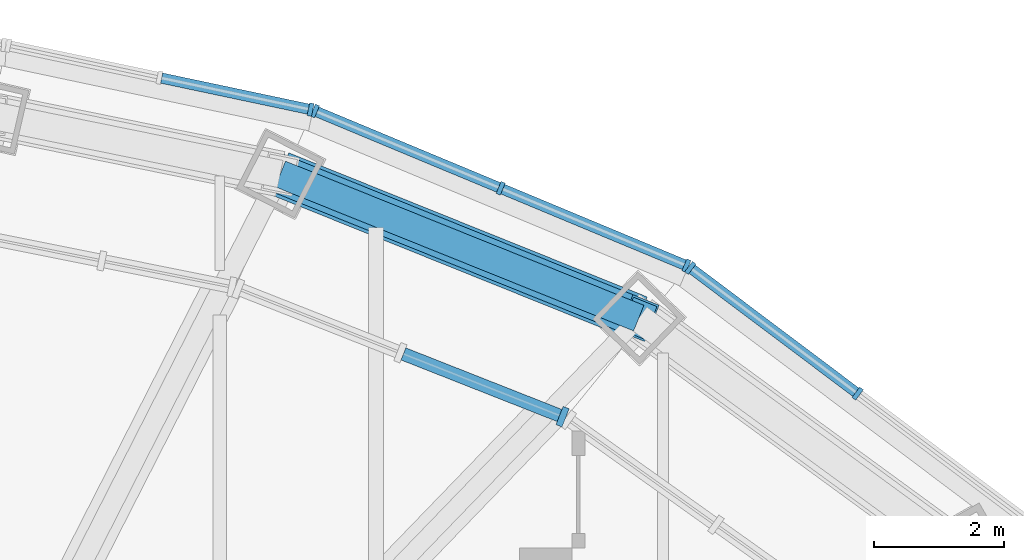
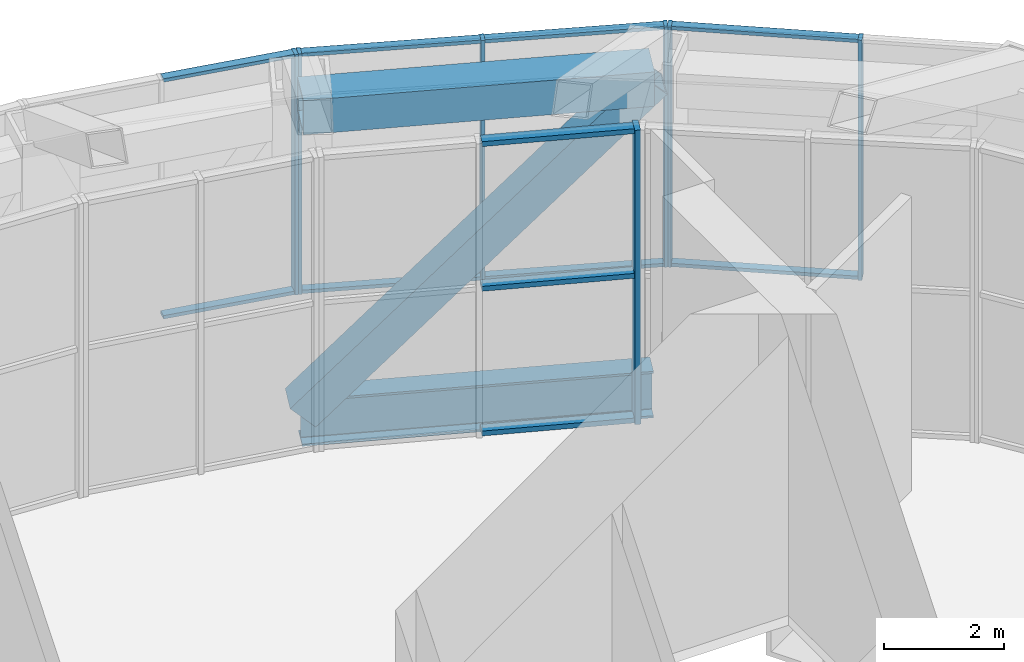
# One storey, part 13 of 21: 19 members, 2 beams, 4 elements without a shape of their own.
"""IFC4 building model written with IfcOpenShell, lengths in metres."""

from ifc_helpers import new_model, si_unit, direction, frame, origin, origin_2d, place, context, subcontext, project, spatial, rectangle, hollow_rectangle, i_section, extrude, material, material_profile, profile_set, type_object, element, aggregate, save


model = new_model("IFC4")

# Units and contexts
model_context = context("Model", 3, precision=1e-05, world=origin(), true_north=direction((0.0, 1.0)))
body_context = subcontext(model_context, "Body", "Model", "MODEL_VIEW")
ifc_project = project(units=[si_unit("LENGTHUNIT", "METRE"), si_unit("AREAUNIT", "SQUARE_METRE"), si_unit("VOLUMEUNIT", "CUBIC_METRE"), si_unit("PLANEANGLEUNIT", "RADIAN"), si_unit("MASSUNIT", "GRAM", prefix="KILO")], contexts=[model_context])

# Site, building, storey
site_placement = place(None, origin())
site = spatial("IfcSite", under=ifc_project, at=site_placement, CompositionType="ELEMENT")
building_placement = place(site_placement, origin())
building = spatial("IfcBuilding", under=site, at=building_placement, Name="Lantaw Convention Tower", CompositionType="ELEMENT")
storey_placement = place(building_placement, frame((0.0, 0.0, 290.39990234375)))
storey = spatial("IfcBuildingStorey", under=building, at=storey_placement, Name="L67", CompositionType="ELEMENT", Elevation=290.39990234375)

# Beams
ifc_material_1 = material(Name="Steel ASTM A992", Category="steel")
ifc_material_profile_1 = material_profile(ifc_material_1, i_section(OverallWidth=0.424072265625, OverallDepth=0.947509765625, WebThickness=0.02392578125, FlangeThickness=0.042724609375, FilletRadius=0.012451171875, at=origin_2d()), Name="W36X302")
ifc_profile_set_1 = profile_set([ifc_material_profile_1], Name="Steel ASTM A992")
beam_type_1 = type_object("IfcBeamType", Name="Beam BC W36X302", PredefinedType="SPANDREL", material=ifc_profile_set_1)
beam_1_placement = place(storey_placement, frame((14.027587890625, 14.526123046875, -0.673583984375), z_axis=(-0.927779110974, 0.373129898615, 0.0), x_axis=(-0.373129898615, -0.927779110974, 0.0)))
element("IfcBeam", 1, at=beam_1_placement, inside=storey, type_object=beam_type_1, Name="Belt truss chord 4", PredefinedType="SPANDREL", context=body_context, shape_type="SweptSolid", body=[
    extrude(i_section(OverallWidth=0.424072265625, OverallDepth=0.947509765625, WebThickness=0.02392578125, FlangeThickness=0.042724609375, FilletRadius=0.012451171875, at=origin_2d()), origin(), (0.0, 0.0, 1.0), 5.92724609375),
])
ifc_material_2 = material(Name="Steel ASTM A572 Grade 50", Category="steel")
ifc_material_profile_2 = material_profile(ifc_material_2, hollow_rectangle(XDim=0.699951171875, YDim=0.699951171875, WallThickness=0.0400390625, at=origin_2d()), Name="BOX700X40")
ifc_profile_set_2 = profile_set([ifc_material_profile_2], Name="Steel ASTM A572 Grade 50")
beam_type_2 = type_object("IfcBeamType", Name="Beam crown ring BOX700X40", PredefinedType="SPANDREL", material=ifc_profile_set_2)
beam_2_placement = place(storey_placement, frame((14.027587890625, 14.526123046875, 5.650146484375), z_axis=(-0.927779110974, 0.373129898615, 0.0), x_axis=(-0.373129898615, -0.927779110974, 0.0)))
element("IfcBeam", 2, at=beam_2_placement, inside=storey, type_object=beam_type_2, Name="Crown ring beam", PredefinedType="SPANDREL", context=body_context, shape_type="SweptSolid", body=[
    extrude(hollow_rectangle(XDim=0.699951171875, YDim=0.699951171875, WallThickness=0.0400390625, at=origin_2d()), origin(), (0.0, 0.0, 1.0), 5.92724609375),
])

# Curtain wall, members
ifc_material_3 = material(Name="Aluminium framed curtain wall", Category="aluminium")
curtain_wall_type_1 = type_object("IfcCurtainWallType", Name="LANTERN glazing curtain wall, pale aluminium", PredefinedType="USERDEFINED", material=ifc_material_3)
curtain_wall_1_placement = place(storey_placement, origin())
curtain_wall_1 = element("IfcCurtainWall", 3, at=curtain_wall_1_placement, inside=storey, type_object=curtain_wall_type_1, Name="LANTERN glazing curtain wall, pale aluminium L67", ObjectType="LANTERN GLAZING", PredefinedType="USERDEFINED")
ifc_material_4 = material(Name="Aluminium 6063-T6", Category="aluminium")
ifc_material_profile_3 = material_profile(ifc_material_4, rectangle(XDim=0.300048828125, YDim=0.10009765625, at=origin_2d()), Name="CW-LN mullion 100x300")
ifc_profile_set_3 = profile_set([ifc_material_profile_3], Name="Aluminium 6063-T6")
member_type_1 = type_object("IfcMemberType", Name="CW-LN mullion 100x300", PredefinedType="MULLION", material=ifc_profile_set_3)
member_1_placement = place(storey_placement, frame((12.859375, 13.013916015625, 0.0), z_axis=(0.0, 0.0, 1.0), x_axis=(-0.366801957358, -0.930299050885, 0.0)))
member_1 = element("IfcMember", 4, at=member_1_placement, type_object=member_type_1, Name="CW-LN mullion 1", PredefinedType="MULLION", context=body_context, shape_type="SweptSolid", body=[
    extrude(rectangle(XDim=0.300048828125, YDim=0.10009765625, at=origin_2d()), origin(), (0.0, 0.0, 1.0), 6.0),
])
ifc_material_profile_4 = material_profile(ifc_material_4, rectangle(XDim=0.199951171875, YDim=0.10009765625, at=origin_2d()), Name="CW-LN transom 100x200")
ifc_profile_set_4 = profile_set([ifc_material_profile_4], Name="Aluminium 6063-T6")
member_type_2 = type_object("IfcMemberType", Name="CW-LN transom 100x200", PredefinedType="USERDEFINED", material=ifc_profile_set_4)
member_2_placement = place(storey_placement, frame((12.812744140625, 13.0322265625, 0.050048828125), z_axis=(-0.930296632408, 0.366808091147, 0.0), x_axis=(-0.366808091147, -0.930296632408, 0.0)))
member_2 = element("IfcMember", 5, at=member_2_placement, type_object=member_type_2, Name="CW-LN transom 1.1", ObjectType="TRANSOM", PredefinedType="USERDEFINED", context=body_context, shape_type="SweptSolid", body=[
    extrude(rectangle(XDim=0.199951171875, YDim=0.10009765625, at=origin_2d()), origin(), (0.0, 0.0, 1.0), 2.574462890625),
])
member_3_placement = place(storey_placement, frame((12.812744140625, 13.0322265625, 3.0), z_axis=(-0.930296632408, 0.366808091147, 0.0), x_axis=(-0.366808091147, -0.930296632408, 0.0)))
member_3 = element("IfcMember", 6, at=member_3_placement, type_object=member_type_2, Name="CW-LN transom 1.2", ObjectType="TRANSOM", PredefinedType="USERDEFINED", context=body_context, shape_type="SweptSolid", body=[
    extrude(rectangle(XDim=0.199951171875, YDim=0.10009765625, at=origin_2d()), origin(), (0.0, 0.0, 1.0), 2.574462890625),
])
member_4_placement = place(storey_placement, frame((12.812744140625, 13.0322265625, 5.9501953125), z_axis=(-0.930296632408, 0.366808091147, 0.0), x_axis=(-0.366808091147, -0.930296632408, 0.0)))
member_4 = element("IfcMember", 7, at=member_4_placement, type_object=member_type_2, Name="CW-LN transom 1.3", ObjectType="TRANSOM", PredefinedType="USERDEFINED", context=body_context, shape_type="SweptSolid", body=[
    extrude(rectangle(XDim=0.199951171875, YDim=0.10009765625, at=origin_2d()), origin(), (0.0, 0.0, 1.0), 2.574462890625),
])
aggregate(curtain_wall_1, [member_1, member_2, member_3, member_4])

curtain_wall_type_2 = type_object("IfcCurtainWallType", Name="Plant floor louvre wall, pale aluminium", PredefinedType="USERDEFINED", material=ifc_material_3)
curtain_wall_2_placement = place(storey_placement, origin())
curtain_wall_2 = element("IfcCurtainWall", 8, at=curtain_wall_2_placement, inside=storey, type_object=curtain_wall_type_2, Name="Plant floor louvre wall, pale aluminium L67", ObjectType="LOUVRE WALL", PredefinedType="USERDEFINED")
ifc_material_profile_5 = material_profile(ifc_material_4, rectangle(XDim=0.199951171875, YDim=0.070068359375, at=origin_2d()), Name="CW-LV mullion 70x200")
ifc_profile_set_5 = profile_set([ifc_material_profile_5], Name="Aluminium 6063-T6")
member_type_3 = type_object("IfcMemberType", Name="CW-LV mullion 70x200", PredefinedType="MULLION", material=ifc_profile_set_5)
member_5_placement = place(storey_placement, frame((17.386962890625, 13.367919921875, 1.10009765625), z_axis=(0.0, 0.0, 1.0), x_axis=(-0.600642756762, -0.799517528732, 0.0)))
member_5 = element("IfcMember", 9, at=member_5_placement, type_object=member_type_3, Name="CW-LV mullion 2", PredefinedType="MULLION", context=body_context, shape_type="SweptSolid", body=[
    extrude(rectangle(XDim=0.199951171875, YDim=0.070068359375, at=origin_2d()), origin(), (0.0, 0.0, 1.0), 4.89990234375),
])
member_6_placement = place(storey_placement, frame((14.81982421875, 15.29638671875, 1.10009765625), z_axis=(0.0, 0.0, 1.0), x_axis=(-0.600642756762, -0.799517528732, 0.0)))
member_6 = element("IfcMember", 10, at=member_6_placement, type_object=member_type_3, Name="CW-LV mullion 3", PredefinedType="MULLION", context=body_context, shape_type="SweptSolid", body=[
    extrude(rectangle(XDim=0.199951171875, YDim=0.070068359375, at=origin_2d()), origin(), (0.0, 0.0, 1.0), 4.89990234375),
])

curtain_wall_3_placement = place(storey_placement, origin())
curtain_wall_3 = element("IfcCurtainWall", 11, at=curtain_wall_3_placement, inside=storey, type_object=curtain_wall_type_2, Name="Plant floor louvre wall, pale aluminium L67", ObjectType="LOUVRE WALL", PredefinedType="USERDEFINED")
member_7_placement = place(storey_placement, frame((14.759521484375, 15.330810546875, 1.10009765625), z_axis=(0.0, 0.0, 1.0), x_axis=(-0.384459697924, -0.923141777124, 0.0)))
member_7 = element("IfcMember", 12, at=member_7_placement, type_object=member_type_3, Name="CW-LV mullion 1", PredefinedType="MULLION", context=body_context, shape_type="SweptSolid", body=[
    extrude(rectangle(XDim=0.199951171875, YDim=0.070068359375, at=origin_2d()), origin(), (0.0, 0.0, 1.0), 4.89990234375),
])
member_8_placement = place(storey_placement, frame((11.90966796875, 16.517578125, 1.10009765625), z_axis=(0.0, 0.0, 1.0), x_axis=(-0.384459697924, -0.923141777124, 0.0)))
member_8 = element("IfcMember", 13, at=member_8_placement, type_object=member_type_3, Name="CW-LV mullion 2", PredefinedType="MULLION", context=body_context, shape_type="SweptSolid", body=[
    extrude(rectangle(XDim=0.199951171875, YDim=0.070068359375, at=origin_2d()), origin(), (0.0, 0.0, 1.0), 4.89990234375),
])
member_9_placement = place(storey_placement, frame((9.06005859375, 17.70458984375, 1.10009765625), z_axis=(0.0, 0.0, 1.0), x_axis=(-0.384459697924, -0.923141777124, 0.0)))
member_9 = element("IfcMember", 14, at=member_9_placement, type_object=member_type_3, Name="CW-LV mullion 3", PredefinedType="MULLION", context=body_context, shape_type="SweptSolid", body=[
    extrude(rectangle(XDim=0.199951171875, YDim=0.070068359375, at=origin_2d()), origin(), (0.0, 0.0, 1.0), 4.89990234375),
])

# Curtain wall, member
curtain_wall_4_placement = place(storey_placement, origin())
curtain_wall_4 = element("IfcCurtainWall", 15, at=curtain_wall_4_placement, inside=storey, type_object=curtain_wall_type_2, Name="Plant floor louvre wall, pale aluminium L67", ObjectType="LOUVRE WALL", PredefinedType="USERDEFINED")
member_10_placement = place(storey_placement, frame((8.993408203125, 17.72509765625, 1.10009765625), z_axis=(0.0, 0.0, 1.0), x_axis=(-0.207039911975, -0.978332497083, 0.0)))
member_10 = element("IfcMember", 16, at=member_10_placement, type_object=member_type_3, Name="CW-LV mullion 1", PredefinedType="MULLION", context=body_context, shape_type="SweptSolid", body=[
    extrude(rectangle(XDim=0.199951171875, YDim=0.070068359375, at=origin_2d()), origin(), (0.0, 0.0, 1.0), 4.89990234375),
])

# Member
ifc_material_profile_6 = material_profile(ifc_material_4, rectangle(XDim=0.159912109375, YDim=0.070068359375, at=origin_2d()), Name="CW-LV transom 70x160")
ifc_profile_set_6 = profile_set([ifc_material_profile_6], Name="Aluminium 6063-T6")
member_type_4 = type_object("IfcMemberType", Name="CW-LV transom 70x160", PredefinedType="USERDEFINED", material=ifc_profile_set_6)
member_11_placement = place(storey_placement, frame((17.35888671875, 13.388916015625, 1.135009765625), z_axis=(-0.799505333284, 0.600658989819, 0.0), x_axis=(-0.600658989819, -0.799505333284, 0.0)))
member_11 = element("IfcMember", 17, at=member_11_placement, type_object=member_type_4, Name="CW-LV transom 2.1", ObjectType="TRANSOM", PredefinedType="USERDEFINED", context=body_context, shape_type="SweptSolid", body=[
    extrude(rectangle(XDim=0.159912109375, YDim=0.070068359375, at=origin_2d()), origin(), (0.0, 0.0, 1.0), 3.140625),
])

member_12_placement = place(storey_placement, frame((17.35888671875, 13.388916015625, 5.965087890625), z_axis=(-0.799505333284, 0.600658989819, 0.0), x_axis=(-0.600658989819, -0.799505333284, 0.0)))
member_12 = element("IfcMember", 18, at=member_12_placement, type_object=member_type_4, Name="CW-LV transom 2.2", ObjectType="TRANSOM", PredefinedType="USERDEFINED", context=body_context, shape_type="SweptSolid", body=[
    extrude(rectangle(XDim=0.159912109375, YDim=0.070068359375, at=origin_2d()), origin(), (0.0, 0.0, 1.0), 3.140625),
])

aggregate(curtain_wall_2, [member_5, member_6, member_11, member_12])

member_13_placement = place(storey_placement, frame((14.727294921875, 15.34423828125, 1.135009765625), z_axis=(-0.923143943999, 0.384454494911, 0.0), x_axis=(-0.384454494911, -0.923143943999, 0.0)))
member_13 = element("IfcMember", 19, at=member_13_placement, type_object=member_type_4, Name="CW-LV transom 1.1", ObjectType="TRANSOM", PredefinedType="USERDEFINED", context=body_context, shape_type="SweptSolid", body=[
    extrude(rectangle(XDim=0.159912109375, YDim=0.070068359375, at=origin_2d()), origin(), (0.0, 0.0, 1.0), 3.01708984375),
])

member_14_placement = place(storey_placement, frame((14.727294921875, 15.34423828125, 5.965087890625), z_axis=(-0.923143943999, 0.384454494911, 0.0), x_axis=(-0.384454494911, -0.923143943999, 0.0)))
member_14 = element("IfcMember", 20, at=member_14_placement, type_object=member_type_4, Name="CW-LV transom 1.2", ObjectType="TRANSOM", PredefinedType="USERDEFINED", context=body_context, shape_type="SweptSolid", body=[
    extrude(rectangle(XDim=0.159912109375, YDim=0.070068359375, at=origin_2d()), origin(), (0.0, 0.0, 1.0), 3.01708984375),
])

member_15_placement = place(storey_placement, frame((11.87744140625, 16.531005859375, 1.135009765625), z_axis=(-0.923143943999, 0.384454494911, 0.0), x_axis=(-0.384454494911, -0.923143943999, 0.0)))
member_15 = element("IfcMember", 21, at=member_15_placement, type_object=member_type_4, Name="CW-LV transom 2.1", ObjectType="TRANSOM", PredefinedType="USERDEFINED", context=body_context, shape_type="SweptSolid", body=[
    extrude(rectangle(XDim=0.159912109375, YDim=0.070068359375, at=origin_2d()), origin(), (0.0, 0.0, 1.0), 3.01708984375),
])

member_16_placement = place(storey_placement, frame((11.87744140625, 16.531005859375, 5.965087890625), z_axis=(-0.923143943999, 0.384454494911, 0.0), x_axis=(-0.384454494911, -0.923143943999, 0.0)))
member_16 = element("IfcMember", 22, at=member_16_placement, type_object=member_type_4, Name="CW-LV transom 2.2", ObjectType="TRANSOM", PredefinedType="USERDEFINED", context=body_context, shape_type="SweptSolid", body=[
    extrude(rectangle(XDim=0.159912109375, YDim=0.070068359375, at=origin_2d()), origin(), (0.0, 0.0, 1.0), 3.01708984375),
])

aggregate(curtain_wall_3, [member_7, member_8, member_9, member_13, member_14, member_15, member_16])

member_17_placement = place(storey_placement, frame((8.959228515625, 17.732421875, 1.135009765625), z_axis=(-0.978336479598, 0.207021092375, 0.0), x_axis=(-0.207021092375, -0.978336479598, 0.0)))
member_17 = element("IfcMember", 23, at=member_17_placement, type_object=member_type_4, Name="CW-LV transom 1.1", ObjectType="TRANSOM", PredefinedType="USERDEFINED", context=body_context, shape_type="SweptSolid", body=[
    extrude(rectangle(XDim=0.159912109375, YDim=0.070068359375, at=origin_2d()), origin(), (0.0, 0.0, 1.0), 2.30078125),
])

member_18_placement = place(storey_placement, frame((8.959228515625, 17.732421875, 5.965087890625), z_axis=(-0.978336479598, 0.207021092375, 0.0), x_axis=(-0.207021092375, -0.978336479598, 0.0)))
member_18 = element("IfcMember", 24, at=member_18_placement, type_object=member_type_4, Name="CW-LV transom 1.2", ObjectType="TRANSOM", PredefinedType="USERDEFINED", context=body_context, shape_type="SweptSolid", body=[
    extrude(rectangle(XDim=0.159912109375, YDim=0.070068359375, at=origin_2d()), origin(), (0.0, 0.0, 1.0), 2.30078125),
])

aggregate(curtain_wall_4, [member_10, member_17, member_18])

ifc_material_profile_7 = material_profile(ifc_material_2, hollow_rectangle(XDim=0.60009765625, YDim=0.60009765625, WallThickness=0.031982421875, at=origin_2d()), Name="BOX600X32")
ifc_profile_set_7 = profile_set([ifc_material_profile_7], Name="Steel ASTM A572 Grade 50")
member_type_5 = type_object("IfcMemberType", Name="Member CR BOX600X32", PredefinedType="BRACE", material=ifc_profile_set_7)
member_19_placement = place(storey_placement, frame((8.5283203125, 16.73779296875, -0.505859375), z_axis=(0.641130065907, -0.257846715518, 0.722819002162), x_axis=(0.373129898615, 0.927779110974, 0.0)))
element("IfcMember", 25, at=member_19_placement, inside=storey, type_object=member_type_5, Name="Crown ring truss diagonal 4 (upper)", PredefinedType="BRACE", context=body_context, shape_type="SweptSolid", body=[
    extrude(hollow_rectangle(XDim=0.60009765625, YDim=0.60009765625, WallThickness=0.031982421875, at=origin_2d()), origin(), (0.0, 0.0, 1.0), 8.577392578125),
])

save(model, "model.ifc")
